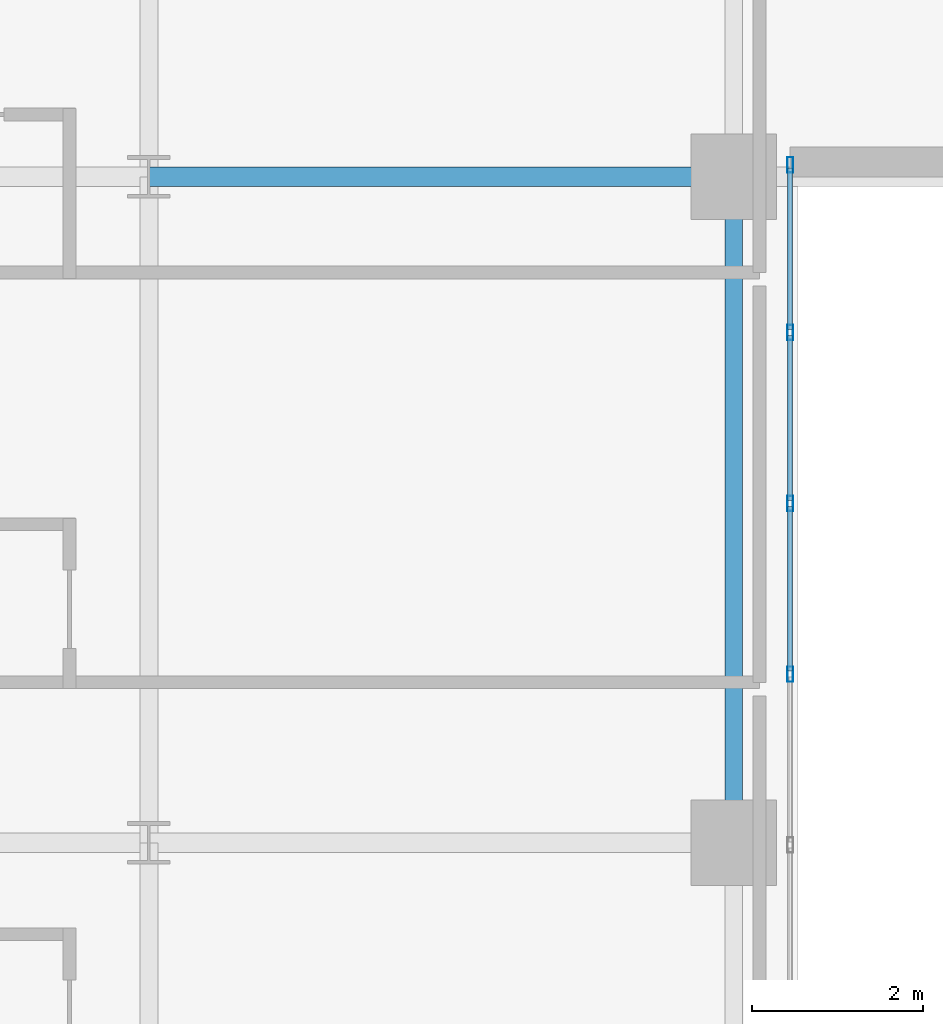
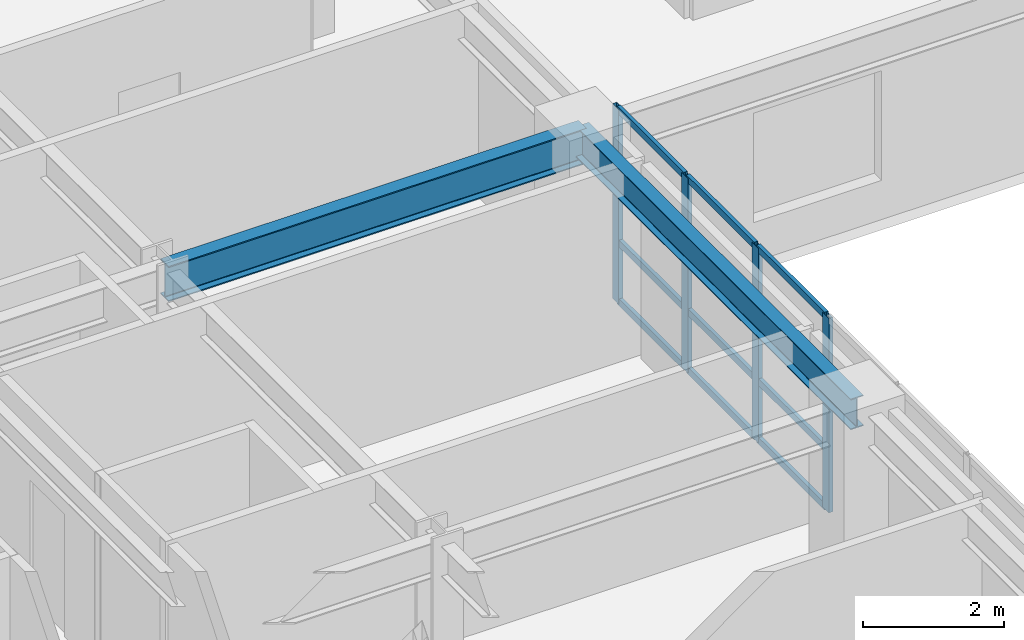
# One storey, part 3 of 17: 13 members, 2 beams, 1 element without a shape of its own.
"""IFC4 building model written with IfcOpenShell, lengths in metres."""

from ifc_helpers import new_model, si_unit, direction, frame, origin, origin_2d, place, context, subcontext, project, spatial, hollow_rectangle, i_section, extrude, source, transform, mapped, material, layer, layer_set, material_profile, profile_set, type_object, type_shapes, element, aggregate, save


model = new_model("IFC4")

# Units and contexts
model_context = context("Model", 3, precision=1e-05, world=origin(), true_north=direction((0.0, 1.0)))
body_context = subcontext(model_context, "Body", "Model", "MODEL_VIEW")
ifc_project = project(units=[si_unit("LENGTHUNIT", "METRE"), si_unit("AREAUNIT", "SQUARE_METRE"), si_unit("VOLUMEUNIT", "CUBIC_METRE"), si_unit("PLANEANGLEUNIT", "RADIAN"), si_unit("MASSUNIT", "GRAM", prefix="KILO")], contexts=[model_context])

# Site, building, storey
site_placement = place(None, origin())
site = spatial("IfcSite", under=ifc_project, at=site_placement, CompositionType="ELEMENT")
building_placement = place(site_placement, origin())
building = spatial("IfcBuilding", under=site, at=building_placement, Name="Tolvann Quenvar Hotel", CompositionType="ELEMENT")
storey_placement = place(building_placement, frame((0.0, 0.0, 42.64990234375)))
storey = spatial("IfcBuildingStorey", under=building, at=storey_placement, Name="L09", CompositionType="ELEMENT", Elevation=42.64990234375)

# Beams
ifc_material_1 = material(Name="Steel Grade 350", Category="steel")
ifc_material_profile_1 = material_profile(ifc_material_1, i_section(OverallWidth=0.22900390625, OverallDepth=0.612060546875, WebThickness=0.011962890625, FlangeThickness=0.01953125, FilletRadius=0.013916015625, at=origin_2d()), Name="610UB125")
ifc_profile_set_1 = profile_set([ifc_material_profile_1], Name="Steel Grade 350")
beam_type_1 = type_object("IfcBeamType", Name="BM_GIRD_610UB125", PredefinedType="BEAM", material=ifc_profile_set_1)
shared_shape_1 = source(origin(), body_context, "Body", "SweptSolid", [
    extrude(i_section(OverallWidth=0.22900390625, OverallDepth=0.612060546875, WebThickness=0.011962890625, FlangeThickness=0.01953125, FilletRadius=0.013916015625, at=origin_2d()), origin(), (0.0, 0.0, 1.0), 6.85009765625),
])
type_shapes(beam_type_1, [shared_shape_1])
beam_1_placement = place(storey_placement, frame((15.199951171875, 16.0, 3.064208984375), z_axis=(1.0, 0.0, 0.0), x_axis=(0.0, 1.0, 0.0)))
element("IfcBeam", 1, at=beam_1_placement, inside=storey, type_object=beam_type_1, Name="BM-L09-EW-4-D4-E4", PredefinedType="BEAM", context=body_context, shape_type="MappedRepresentation", body=[
    mapped(shared_shape_1, transform((0.0, 0.0, 0.0), x_axis=(1.0, 0.0, 0.0), y_axis=(0.0, 1.0, 0.0), z_axis=(0.0, 0.0, 1.0), scale=1.0)),
])
ifc_material_profile_2 = material_profile(ifc_material_1, i_section(OverallWidth=0.208984375, OverallDepth=0.532958984375, WebThickness=0.01025390625, FlangeThickness=0.015625, FilletRadius=0.013916015625, at=origin_2d()), Name="530UB92")
ifc_profile_set_2 = profile_set([ifc_material_profile_2], Name="Steel Grade 350")
beam_type_2 = type_object("IfcBeamType", Name="BM_GIRD_530UB92", PredefinedType="BEAM", material=ifc_profile_set_2)
shared_shape_2 = source(origin(), body_context, "Body", "SweptSolid", [
    extrude(i_section(OverallWidth=0.208984375, OverallDepth=0.532958984375, WebThickness=0.01025390625, FlangeThickness=0.015625, FilletRadius=0.013916015625, at=origin_2d()), origin(), (0.0, 0.0, 1.0), 7.800048828125),
])
type_shapes(beam_type_2, [shared_shape_2])
beam_2_placement = place(storey_placement, frame((22.050048828125, 8.199951171875, 3.103515625), z_axis=(0.0, 1.0, 0.0), x_axis=(-1.0, 0.0, 0.0)))
element("IfcBeam", 2, at=beam_2_placement, inside=storey, type_object=beam_type_2, Name="BM-L09-NS-E3-E4", PredefinedType="BEAM", context=body_context, shape_type="MappedRepresentation", body=[
    mapped(shared_shape_2, transform((0.0, 0.0, 0.0), x_axis=(1.0, 0.0, 0.0), y_axis=(0.0, 1.0, 0.0), z_axis=(0.0, 0.0, 1.0), scale=1.0)),
])

# Curtain wall, members
ifc_material_2 = material(Name="Thermally broken anodised architectural aluminium 6063-T6 and laminated low-E glass", Category="aluminium")
ifc_layer = layer(ifc_material_2, 0.179931640625)
ifc_layer_set = layer_set([ifc_layer], Name="Thermally broken anodised architectural aluminium 6063-T6 and laminated low-E glass")
curtain_wall_type = type_object("IfcCurtainWallType", Name="CW_SYS_SLOT_03", PredefinedType="USERDEFINED", material=ifc_layer_set)
curtain_wall_placement = place(storey_placement, origin())
curtain_wall = element("IfcCurtainWall", 3, at=curtain_wall_placement, inside=storey, type_object=curtain_wall_type, Name="Curtain Wall CW-SLOT-03 (CWR-L09-E05)", ObjectType="UNITISED CURTAIN WALL", PredefinedType="USERDEFINED")
ifc_material_3 = material(Name="Anodised architectural aluminium 6063-T6 framing", Category="aluminium")
ifc_material_profile_3 = material_profile(ifc_material_3, hollow_rectangle(XDim=0.070068359375, YDim=0.179931640625, WallThickness=0.00390625, at=origin_2d()), Name="180x70x4RHS")
ifc_profile_set_3 = profile_set([ifc_material_profile_3], Name="Anodised architectural aluminium 6063-T6 framing")
member_type_1 = type_object("IfcMemberType", Name="CW_MULL_180x70", PredefinedType="MULLION", material=ifc_profile_set_3)
shared_shape_3 = source(origin(), body_context, "Body", "SweptSolid", [
    extrude(hollow_rectangle(XDim=0.070068359375, YDim=0.179931640625, WallThickness=0.00390625, at=origin_2d()), origin(), (0.0, 0.0, 1.0), 3.3701171875),
])
type_shapes(member_type_1, [shared_shape_3])
member_1_placement = place(storey_placement, frame((22.7099609375, 10.175048828125, 0.0), z_axis=(0.0, 0.0, 1.0), x_axis=(-1.0, 0.0, 0.0)))
member_1 = element("IfcMember", 4, at=member_1_placement, type_object=member_type_1, Name="CW-SLOT-03 mullion 6", PredefinedType="MULLION", context=body_context, shape_type="MappedRepresentation", body=[
    mapped(shared_shape_3, transform((0.0, 0.0, 0.0), x_axis=(1.0, 0.0, 0.0), y_axis=(0.0, 1.0, 0.0), z_axis=(0.0, 0.0, 1.0), scale=1.0)),
])
member_2_placement = place(storey_placement, frame((22.7099609375, 12.175048828125, 0.0), z_axis=(0.0, 0.0, 1.0), x_axis=(-1.0, 0.0, 0.0)))
member_2 = element("IfcMember", 5, at=member_2_placement, type_object=member_type_1, Name="CW-SLOT-03 mullion 7", PredefinedType="MULLION", context=body_context, shape_type="MappedRepresentation", body=[
    mapped(shared_shape_3, transform((0.0, 0.0, 0.0), x_axis=(1.0, 0.0, 0.0), y_axis=(0.0, 1.0, 0.0), z_axis=(0.0, 0.0, 1.0), scale=1.0)),
])
member_3_placement = place(storey_placement, frame((22.7099609375, 14.175048828125, 0.0), z_axis=(0.0, 0.0, 1.0), x_axis=(-1.0, 0.0, 0.0)))
member_3 = element("IfcMember", 6, at=member_3_placement, type_object=member_type_1, Name="CW-SLOT-03 mullion 8", PredefinedType="MULLION", context=body_context, shape_type="MappedRepresentation", body=[
    mapped(shared_shape_3, transform((0.0, 0.0, 0.0), x_axis=(1.0, 0.0, 0.0), y_axis=(0.0, 1.0, 0.0), z_axis=(0.0, 0.0, 1.0), scale=1.0)),
])
member_4_placement = place(storey_placement, frame((22.7099609375, 16.139892578125, 0.0), z_axis=(0.0, 0.0, 1.0), x_axis=(-1.0, 0.0, 0.0)))
member_4 = element("IfcMember", 7, at=member_4_placement, type_object=member_type_1, Name="CW-SLOT-03 mullion 9", PredefinedType="MULLION", context=body_context, shape_type="MappedRepresentation", body=[
    mapped(shared_shape_3, transform((0.0, 0.0, 0.0), x_axis=(1.0, 0.0, 0.0), y_axis=(0.0, 1.0, 0.0), z_axis=(0.0, 0.0, 1.0), scale=1.0)),
])
ifc_material_profile_4 = material_profile(ifc_material_3, hollow_rectangle(XDim=0.06005859375, YDim=0.1201171875, WallThickness=0.00341796875, at=origin_2d()), Name="120x60x3.5RHS")
ifc_profile_set_4 = profile_set([ifc_material_profile_4], Name="Anodised architectural aluminium 6063-T6 framing")
member_type_2 = type_object("IfcMemberType", Name="CW_TRAN_120x60", PredefinedType="USERDEFINED", material=ifc_profile_set_4)
shared_shape_4 = source(origin(), body_context, "Body", "SweptSolid", [
    extrude(hollow_rectangle(XDim=0.06005859375, YDim=0.1201171875, WallThickness=0.00341796875, at=origin_2d()), origin(), (0.0, 0.0, 1.0), 1.929931640625),
])
member_5_placement = place(storey_placement, frame((22.7099609375, 10.2099609375, 0.030029296875), z_axis=(0.0, 1.0, 0.0), x_axis=(-1.0, 0.0, 0.0)))
member_5 = element("IfcMember", 8, at=member_5_placement, type_object=member_type_2, Name="CW-SLOT-03 transom 6.1", ObjectType="TRANSOM", PredefinedType="USERDEFINED", context=body_context, shape_type="MappedRepresentation", body=[
    mapped(shared_shape_4, transform((0.0, 0.0, 0.0), x_axis=(1.0, 0.0, 0.0), y_axis=(0.0, 1.0, 0.0), z_axis=(0.0, 0.0, 1.0), scale=1.0)),
])
member_6_placement = place(storey_placement, frame((22.7099609375, 10.2099609375, 1.050048828125), z_axis=(0.0, 1.0, 0.0), x_axis=(-1.0, 0.0, 0.0)))
member_6 = element("IfcMember", 9, at=member_6_placement, type_object=member_type_2, Name="CW-SLOT-03 transom 6.2", ObjectType="TRANSOM", PredefinedType="USERDEFINED", context=body_context, shape_type="MappedRepresentation", body=[
    mapped(shared_shape_4, transform((0.0, 0.0, 0.0), x_axis=(1.0, 0.0, 0.0), y_axis=(0.0, 1.0, 0.0), z_axis=(0.0, 0.0, 1.0), scale=1.0)),
])
member_7_placement = place(storey_placement, frame((22.7099609375, 10.2099609375, 3.340087890625), z_axis=(0.0, 1.0, 0.0), x_axis=(-1.0, 0.0, 0.0)))
member_7 = element("IfcMember", 10, at=member_7_placement, type_object=member_type_2, Name="CW-SLOT-03 transom 6.3", ObjectType="TRANSOM", PredefinedType="USERDEFINED", context=body_context, shape_type="MappedRepresentation", body=[
    mapped(shared_shape_4, transform((0.0, 0.0, 0.0), x_axis=(1.0, 0.0, 0.0), y_axis=(0.0, 1.0, 0.0), z_axis=(0.0, 0.0, 1.0), scale=1.0)),
])
member_8_placement = place(storey_placement, frame((22.7099609375, 12.2099609375, 0.030029296875), z_axis=(0.0, 1.0, 0.0), x_axis=(-1.0, 0.0, 0.0)))
member_8 = element("IfcMember", 11, at=member_8_placement, type_object=member_type_2, Name="CW-SLOT-03 transom 7.1", ObjectType="TRANSOM", PredefinedType="USERDEFINED", context=body_context, shape_type="MappedRepresentation", body=[
    mapped(shared_shape_4, transform((0.0, 0.0, 0.0), x_axis=(1.0, 0.0, 0.0), y_axis=(0.0, 1.0, 0.0), z_axis=(0.0, 0.0, 1.0), scale=1.0)),
])
member_9_placement = place(storey_placement, frame((22.7099609375, 12.2099609375, 1.050048828125), z_axis=(0.0, 1.0, 0.0), x_axis=(-1.0, 0.0, 0.0)))
member_9 = element("IfcMember", 12, at=member_9_placement, type_object=member_type_2, Name="CW-SLOT-03 transom 7.2", ObjectType="TRANSOM", PredefinedType="USERDEFINED", context=body_context, shape_type="MappedRepresentation", body=[
    mapped(shared_shape_4, transform((0.0, 0.0, 0.0), x_axis=(1.0, 0.0, 0.0), y_axis=(0.0, 1.0, 0.0), z_axis=(0.0, 0.0, 1.0), scale=1.0)),
])
member_10_placement = place(storey_placement, frame((22.7099609375, 12.2099609375, 3.340087890625), z_axis=(0.0, 1.0, 0.0), x_axis=(-1.0, 0.0, 0.0)))
member_10 = element("IfcMember", 13, at=member_10_placement, type_object=member_type_2, Name="CW-SLOT-03 transom 7.3", ObjectType="TRANSOM", PredefinedType="USERDEFINED", context=body_context, shape_type="MappedRepresentation", body=[
    mapped(shared_shape_4, transform((0.0, 0.0, 0.0), x_axis=(1.0, 0.0, 0.0), y_axis=(0.0, 1.0, 0.0), z_axis=(0.0, 0.0, 1.0), scale=1.0)),
])
shared_shape_5 = source(origin(), body_context, "Body", "SweptSolid", [
    extrude(hollow_rectangle(XDim=0.06005859375, YDim=0.1201171875, WallThickness=0.00341796875, at=origin_2d()), origin(), (0.0, 0.0, 1.0), 1.89501953125),
])
type_shapes(member_type_2, [shared_shape_4, shared_shape_5])
member_11_placement = place(storey_placement, frame((22.7099609375, 14.2099609375, 0.030029296875), z_axis=(0.0, 1.0, 0.0), x_axis=(-1.0, 0.0, 0.0)))
member_11 = element("IfcMember", 14, at=member_11_placement, type_object=member_type_2, Name="CW-SLOT-03 transom 8.1", ObjectType="TRANSOM", PredefinedType="USERDEFINED", context=body_context, shape_type="MappedRepresentation", body=[
    mapped(shared_shape_5, transform((0.0, 0.0, 0.0), x_axis=(1.0, 0.0, 0.0), y_axis=(0.0, 1.0, 0.0), z_axis=(0.0, 0.0, 1.0), scale=1.0)),
])
member_12_placement = place(storey_placement, frame((22.7099609375, 14.2099609375, 1.050048828125), z_axis=(0.0, 1.0, 0.0), x_axis=(-1.0, 0.0, 0.0)))
member_12 = element("IfcMember", 15, at=member_12_placement, type_object=member_type_2, Name="CW-SLOT-03 transom 8.2", ObjectType="TRANSOM", PredefinedType="USERDEFINED", context=body_context, shape_type="MappedRepresentation", body=[
    mapped(shared_shape_5, transform((0.0, 0.0, 0.0), x_axis=(1.0, 0.0, 0.0), y_axis=(0.0, 1.0, 0.0), z_axis=(0.0, 0.0, 1.0), scale=1.0)),
])
member_13_placement = place(storey_placement, frame((22.7099609375, 14.2099609375, 3.340087890625), z_axis=(0.0, 1.0, 0.0), x_axis=(-1.0, 0.0, 0.0)))
member_13 = element("IfcMember", 16, at=member_13_placement, type_object=member_type_2, Name="CW-SLOT-03 transom 8.3", ObjectType="TRANSOM", PredefinedType="USERDEFINED", context=body_context, shape_type="MappedRepresentation", body=[
    mapped(shared_shape_5, transform((0.0, 0.0, 0.0), x_axis=(1.0, 0.0, 0.0), y_axis=(0.0, 1.0, 0.0), z_axis=(0.0, 0.0, 1.0), scale=1.0)),
])
aggregate(curtain_wall, [member_1, member_2, member_3, member_4, member_5, member_6, member_7, member_8, member_9, member_10, member_11, member_12, member_13])

save(model, "model.ifc")
